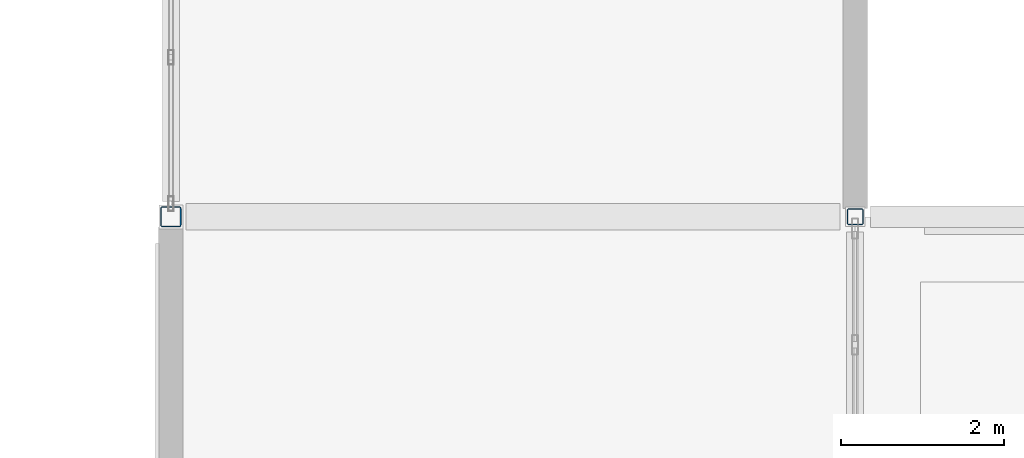
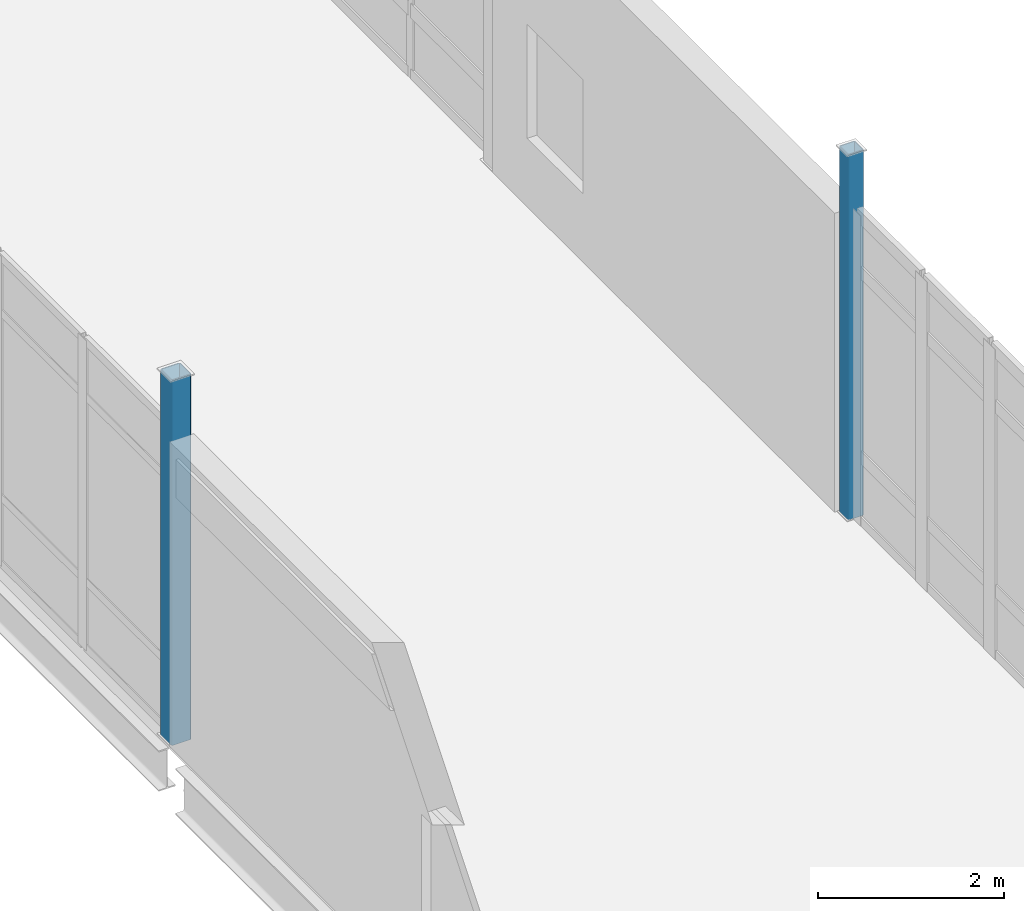
# One storey, part 4 of 153: 2 columns.
"""IFC4 building model written with IfcOpenShell, lengths in metres."""

from ifc_helpers import new_model, si_unit, direction, frame, origin, origin_2d, place, context, subcontext, project, spatial, hollow_rectangle, extrude, material, material_profile, profile_set, type_object, element, save


model = new_model("IFC4")

# Units and contexts
model_context = context("Model", 3, precision=1e-05, world=origin(), true_north=direction((0.0, 1.0)))
body_context = subcontext(model_context, "Body", "Model", "MODEL_VIEW")
ifc_project = project(units=[si_unit("LENGTHUNIT", "METRE"), si_unit("AREAUNIT", "SQUARE_METRE"), si_unit("VOLUMEUNIT", "CUBIC_METRE"), si_unit("PLANEANGLEUNIT", "RADIAN"), si_unit("MASSUNIT", "GRAM", prefix="KILO")], contexts=[model_context])

# Site, building, storey
site_placement = place(None, origin())
site = spatial("IfcSite", under=ifc_project, at=site_placement, CompositionType="ELEMENT")
building_placement = place(site_placement, origin())
building = spatial("IfcBuilding", under=site, at=building_placement, Name="Calvrana Isthmian Art Gallery", CompositionType="ELEMENT")
storey_placement = place(building_placement, frame((0.0, 0.0, 10.199951171875)))
storey = spatial("IfcBuildingStorey", under=building, at=storey_placement, Name="L02", CompositionType="ELEMENT", Elevation=10.199951171875)

# Columns
ifc_material = material(Name="Steel ASTM A500 Gr C", Category="steel")
ifc_material_profile_1 = material_profile(ifc_material, hollow_rectangle(XDim=0.203125, YDim=0.203125, WallThickness=0.0126953125, OuterFilletRadius=0.02490234375, at=origin_2d()), Name="HSS203X203X12.7")
ifc_profile_set_1 = profile_set([ifc_material_profile_1], Name="Steel ASTM A500 Gr C")
column_type_1 = type_object("IfcColumnType", Name="COL-STL-HSS203X203X12.7", PredefinedType="COLUMN", material=ifc_profile_set_1)
column_1_placement = place(storey_placement, frame((63.60009765625, 62.0, 0.0), z_axis=(0.0, 0.0, 1.0), x_axis=(1.0, 0.0, 0.0)))
element("IfcColumn", 1, at=column_1_placement, inside=storey, type_object=column_type_1, Name="Column 09/I L02", PredefinedType="COLUMN", context=body_context, shape_type="SweptSolid", body=[
    extrude(hollow_rectangle(XDim=0.203125, YDim=0.203125, WallThickness=0.0126953125, OuterFilletRadius=0.02490234375, at=origin_2d()), origin(), (0.0, 0.0, 1.0), 4.800048828125),
])
ifc_material_profile_2 = material_profile(ifc_material, hollow_rectangle(XDim=0.25390625, YDim=0.25390625, WallThickness=0.0126953125, OuterFilletRadius=0.02490234375, at=origin_2d()), Name="HSS254X254X12.7")
ifc_profile_set_2 = profile_set([ifc_material_profile_2], Name="Steel ASTM A500 Gr C")
column_type_2 = type_object("IfcColumnType", Name="COL-STL-HSS254X254X12.7", PredefinedType="COLUMN", material=ifc_profile_set_2)
column_2_placement = place(storey_placement, frame((55.199951171875, 62.0, 0.0), z_axis=(0.0, 0.0, 1.0), x_axis=(1.0, 0.0, 0.0)))
element("IfcColumn", 2, at=column_2_placement, inside=storey, type_object=column_type_2, Name="Column 08/I L02", PredefinedType="COLUMN", context=body_context, shape_type="SweptSolid", body=[
    extrude(hollow_rectangle(XDim=0.25390625, YDim=0.25390625, WallThickness=0.0126953125, OuterFilletRadius=0.02490234375, at=origin_2d()), origin(), (0.0, 0.0, 1.0), 4.800048828125),
])

save(model, "model.ifc")
